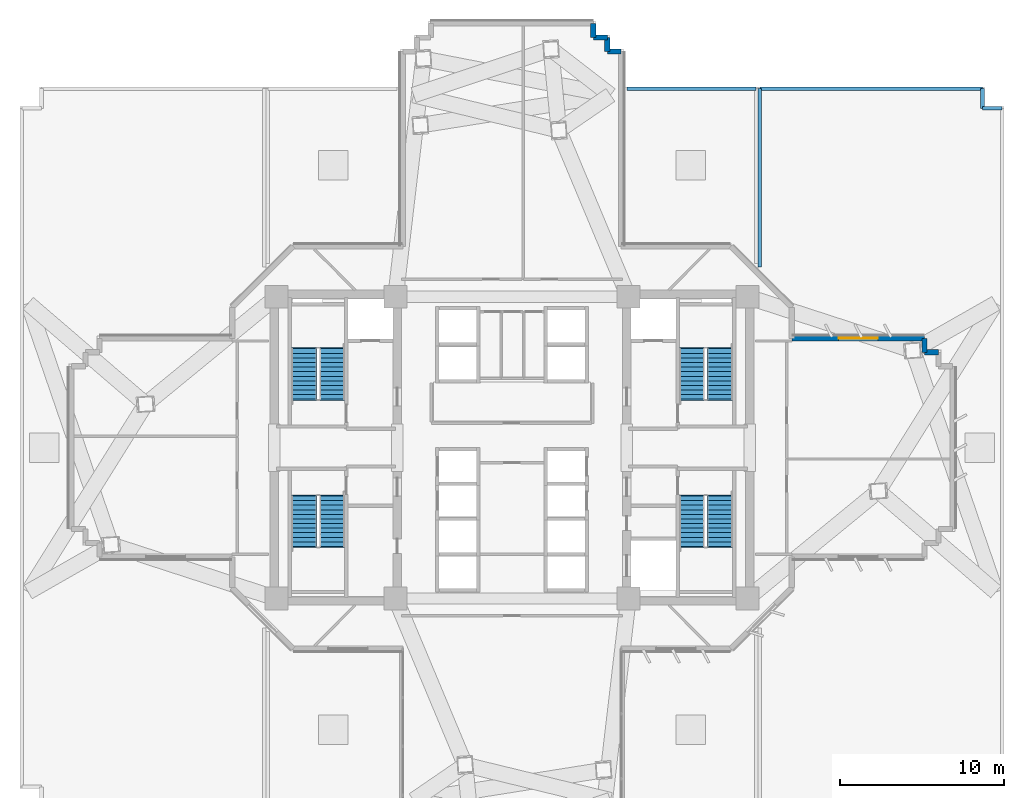
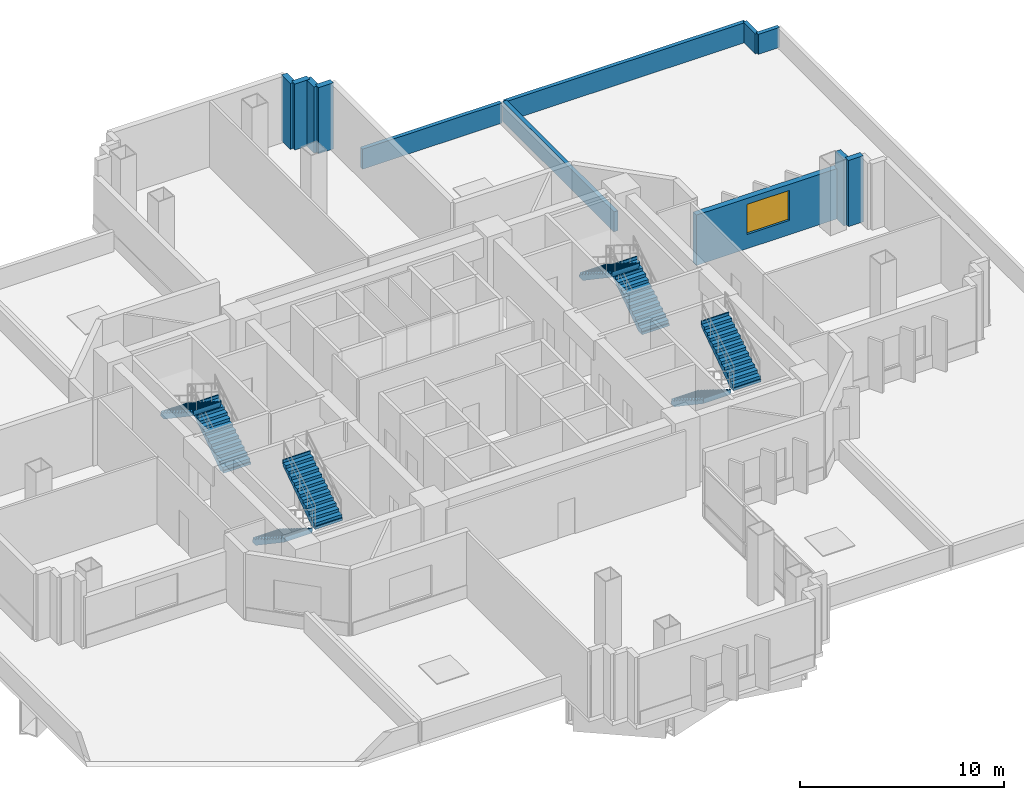
# One storey, part 11 of 15: 12 walls, 8 stair flights, 1 window, 1 opening, 4 elements without a shape of their own.
"""IFC4 building model written with IfcOpenShell, lengths in metres."""

from ifc_helpers import new_model, si_unit, direction, frame, frame_2d, origin, place, context, subcontext, project, spatial, polyline, rectangle, outline, extrude, source, transform, mapped, material, layer, layer_set, type_object, element, fill, aggregate, save


model = new_model("IFC4")

# Units and contexts
model_context = context("Model", 3, precision=1e-05, world=origin(), true_north=direction((0.0, 1.0)))
body_context = subcontext(model_context, "Body", "Model", "MODEL_VIEW")
ifc_project = project(units=[si_unit("LENGTHUNIT", "METRE"), si_unit("AREAUNIT", "SQUARE_METRE"), si_unit("VOLUMEUNIT", "CUBIC_METRE"), si_unit("PLANEANGLEUNIT", "RADIAN"), si_unit("MASSUNIT", "GRAM", prefix="KILO")], contexts=[model_context])

# Site, building, storey
site_placement = place(None, origin())
site = spatial("IfcSite", under=ifc_project, at=site_placement, CompositionType="ELEMENT")
building_placement = place(site_placement, origin())
building = spatial("IfcBuilding", under=site, at=building_placement, Name="Zahravan Cultural Tower", CompositionType="ELEMENT")
storey_placement = place(building_placement, frame((0.0, 0.0, 29.10009765625)))
storey = spatial("IfcBuildingStorey", under=building, at=storey_placement, Name="L05", CompositionType="ELEMENT", Elevation=29.10009765625)

# Wall, opening, window
ifc_material_1 = material(Name="Precast concrete C40/50", Category="concrete")
ifc_layer_1 = layer(ifc_material_1, 0.320068359375)
ifc_layer_set_1 = layer_set([ifc_layer_1], Name="Precast concrete C40/50")
wall_type_1 = type_object("IfcWallType", Name="EW-TC-320", PredefinedType="SOLIDWALL", material=ifc_layer_set_1)
wall_1_placement = place(storey_placement, frame((53.06005859375, 33.659912109375, 0.0), z_axis=(0.0, 0.0, 1.0), x_axis=(1.0, 0.0, 0.0)))
wall_1 = element("IfcWall", 1, at=wall_1_placement, inside=storey, type_object=wall_type_1, Name="L05 Exterior Masonry Frame Wall 01", PredefinedType="SOLIDWALL", context=body_context, shape_type="SweptSolid", body=[
    extrude(rectangle(XDim=8.099853515625, YDim=0.320068359375, at=frame_2d((4.0498046875, 0.0))), origin(), (0.0, 0.0, 1.0), 3.010009765625),
])
opening_placement = place(wall_1_placement, frame((2.85009765625, 0.0, 0.85009765625)))
opening = element("IfcOpeningElement", 2, at=opening_placement, cuts=wall_1, Name="Opening WN-01", PredefinedType="OPENING", context=body_context, shape_type="SweptSolid", body=[
    extrude(rectangle(XDim=2.39990234375, YDim=1.800048828125, at=frame_2d((1.199951171875, 0.89990234375))), frame((0.0, 0.169921875, 0.0), z_axis=(0.0, -1.0, 0.0), x_axis=(1.0, 0.0, 0.0)), (0.0, 0.0, 1.0), 0.340087890625),
])
ifc_material_2 = material(Name="Low-E solar-control double glazing", Category="glass")
window_type = type_object("IfcWindowType", Name="WN-REC-2400X1800", PartitioningType="DOUBLE_PANEL_VERTICAL", PredefinedType="WINDOW", material=ifc_material_2)
shared_shape_1 = source(origin(), body_context, "Body", "SweptSolid", [
    extrude(rectangle(XDim=2.39990234375, YDim=1.800048828125, at=frame_2d((1.199951171875, 0.89990234375))), frame((0.0, 0.030029296875, 0.0), z_axis=(0.0, -1.0, 0.0), x_axis=(1.0, 0.0, 0.0)), (0.0, 0.0, 1.0), 0.06005859375),
])
window_placement = place(opening_placement, origin())
window = element("IfcWindow", 3, at=window_placement, inside=storey, type_object=window_type, Name="L05 Recessed Solar Window 01", OverallHeight=1.800048828125, OverallWidth=2.39990234375, PartitioningType="DOUBLE_PANEL_VERTICAL", PredefinedType="WINDOW", context=body_context, shape_type="MappedRepresentation", body=[
    mapped(shared_shape_1, transform((0.0, 0.0, 0.0), x_axis=(1.0, 0.0, 0.0), y_axis=(0.0, 1.0, 0.0), z_axis=(0.0, 0.0, 1.0), scale=1.0)),
])
fill(opening, window)

# Walls
ifc_layer_2 = layer(ifc_material_1, 0.219970703125)
ifc_layer_set_2 = layer_set([ifc_layer_2], Name="Precast concrete C40/50")
wall_type_2 = type_object("IfcWallType", Name="EW-PARAPET-220", PredefinedType="PARAPET", material=ifc_layer_set_2)
shared_shape_2 = source(origin(), body_context, "Body", "SweptSolid", [
    extrude(rectangle(XDim=1.199951171875, YDim=0.219970703125, at=frame_2d((0.60009765625, 0.0))), origin(), (0.0, 0.0, 1.0), 1.199951171875),
])
for number, where, z_axis, x_axis, name in (
    (4, (64.68994140625, 48.889892578125, 0.0), (0.0, 0.0, 1.0), (0.0, -1.0, 0.0), "L05 Setback Roof Parapet 5"),
    (5, (64.68994140625, 47.68994140625, 0.0), (0.0, 0.0, 1.0), (1.0, 0.0, 0.0), "L05 Setback Roof Parapet 6"),
):
    element("IfcWall", number, at=place(storey_placement, frame(where, z_axis=z_axis, x_axis=x_axis)), inside=storey, type_object=wall_type_2, Name=name, PredefinedType="PARAPET", context=body_context, shape_type="MappedRepresentation", body=[
        mapped(shared_shape_2, transform((0.0, 0.0, 0.0), x_axis=(1.0, 0.0, 0.0), y_axis=(0.0, 1.0, 0.0), z_axis=(0.0, 0.0, 1.0), scale=1.0)),
    ])
shared_shape_3 = source(origin(), body_context, "Body", "SweptSolid", [
    extrude(rectangle(XDim=13.579833984375, YDim=0.219970703125, at=frame_2d((6.7900390625, 0.0))), origin(), (0.0, 0.0, 1.0), 1.199951171875),
])
wall_2_placement = place(storey_placement, frame((51.110107421875, 48.889892578125, 0.0), z_axis=(0.0, 0.0, 1.0), x_axis=(1.0, 0.0, 0.0)))
element("IfcWall", 6, at=wall_2_placement, inside=storey, type_object=wall_type_2, Name="L05 Setback Roof Parapet 4", PredefinedType="PARAPET", context=body_context, shape_type="MappedRepresentation", body=[
    mapped(shared_shape_3, transform((0.0, 0.0, 0.0), x_axis=(1.0, 0.0, 0.0), y_axis=(0.0, 1.0, 0.0), z_axis=(0.0, 0.0, 1.0), scale=1.0)),
])
shared_shape_4 = source(origin(), body_context, "Body", "SweptSolid", [
    extrude(rectangle(XDim=10.888671875, YDim=0.219970703125, at=frame_2d((5.4443359375, 0.0))), origin(), (0.0, 0.0, 1.0), 1.199951171875),
])
wall_3_placement = place(storey_placement, frame((51.110107421875, 38.001220703125, 0.0), z_axis=(0.0, 0.0, 1.0), x_axis=(0.0, 1.0, 0.0)))
element("IfcWall", 7, at=wall_3_placement, inside=storey, type_object=wall_type_2, Name="L05 Setback Roof Parapet 3", PredefinedType="PARAPET", context=body_context, shape_type="MappedRepresentation", body=[
    mapped(shared_shape_4, transform((0.0, 0.0, 0.0), x_axis=(1.0, 0.0, 0.0), y_axis=(0.0, 1.0, 0.0), z_axis=(0.0, 0.0, 1.0), scale=1.0)),
])
shared_shape_5 = source(origin(), body_context, "Body", "SweptSolid", [
    extrude(rectangle(XDim=7.869873046875, YDim=0.219970703125, at=frame_2d((3.93505859375, 0.0))), origin(), (0.0, 0.0, 1.0), 1.199951171875),
])
wall_4_placement = place(storey_placement, frame((43.02001953125, 48.889892578125, 0.0), z_axis=(0.0, 0.0, 1.0), x_axis=(1.0, 0.0, 0.0)))
element("IfcWall", 8, at=wall_4_placement, inside=storey, type_object=wall_type_2, Name="L05 Setback Roof Parapet 1", PredefinedType="PARAPET", context=body_context, shape_type="MappedRepresentation", body=[
    mapped(shared_shape_5, transform((0.0, 0.0, 0.0), x_axis=(1.0, 0.0, 0.0), y_axis=(0.0, 1.0, 0.0), z_axis=(0.0, 0.0, 1.0), scale=1.0)),
])
shared_shape_6 = source(origin(), body_context, "Body", "SweptSolid", [
    extrude(rectangle(XDim=0.849853515625, YDim=0.320068359375, at=frame_2d((0.4248046875, 0.0))), origin(), (0.0, 0.0, 1.0), 3.949951171875),
])
for number, where, z_axis, x_axis, name in (
    (9, (61.159912109375, 33.659912109375, 0.0), (0.0, 0.0, 1.0), (0.0, -1.0, 0.0), "L05 Exterior Masonry Frame Wall 02"),
    (10, (41.81005859375, 51.159912109375, 0.0), (0.0, 0.0, 1.0), (1.0, 0.0, 0.0), "L05 Exterior Masonry Frame Wall 50"),
):
    element("IfcWall", number, at=place(storey_placement, frame(where, z_axis=z_axis, x_axis=x_axis)), inside=storey, type_object=wall_type_1, Name=name, PredefinedType="SOLIDWALL", context=body_context, shape_type="MappedRepresentation", body=[
        mapped(shared_shape_6, transform((0.0, 0.0, 0.0), x_axis=(1.0, 0.0, 0.0), y_axis=(0.0, 1.0, 0.0), z_axis=(0.0, 0.0, 1.0), scale=1.0)),
    ])
shared_shape_7 = source(origin(), body_context, "Body", "SweptSolid", [
    extrude(rectangle(XDim=0.85009765625, YDim=0.320068359375, at=frame_2d((0.425048828125, 0.0))), origin(), (0.0, 0.0, 1.0), 3.949951171875),
])
for number, where, z_axis, x_axis, name in (
    (11, (61.159912109375, 32.81005859375, 0.0), (0.0, 0.0, 1.0), (1.0, 0.0, 0.0), "L05 Exterior Masonry Frame Wall 03"),
    (12, (40.9599609375, 52.860107421875, 0.0), (0.0, 0.0, 1.0), (0.0, -1.0, 0.0), "L05 Exterior Masonry Frame Wall 47"),
    (13, (40.9599609375, 52.010009765625, 0.0), (0.0, 0.0, 1.0), (1.0, 0.0, 0.0), "L05 Exterior Masonry Frame Wall 48"),
    (14, (41.81005859375, 52.010009765625, 0.0), (0.0, 0.0, 1.0), (0.0, -1.0, 0.0), "L05 Exterior Masonry Frame Wall 49"),
):
    element("IfcWall", number, at=place(storey_placement, frame(where, z_axis=z_axis, x_axis=x_axis)), inside=storey, type_object=wall_type_1, Name=name, PredefinedType="SOLIDWALL", context=body_context, shape_type="MappedRepresentation", body=[
        mapped(shared_shape_7, transform((0.0, 0.0, 0.0), x_axis=(1.0, 0.0, 0.0), y_axis=(0.0, 1.0, 0.0), z_axis=(0.0, 0.0, 1.0), scale=1.0)),
    ])

# Stair, stair flights
ifc_material_3 = material(Name="Concrete C45/55", Category="concrete")
stair_type = type_object("IfcStairType", Name="STR-DL-1550-420", PredefinedType="HALF_TURN_STAIR", material=ifc_material_3)
stair_1_placement = place(storey_placement, origin())
stair_1 = element("IfcStair", 15, at=stair_1_placement, inside=storey, type_object=stair_type, Name="L05 West Core North Exit Stair ST-W1", PredefinedType="HALF_TURN_STAIR")
stair_flight_type = type_object("IfcStairFlightType", Name="FLG-DL-1550-420", PredefinedType="STRAIGHT", material=ifc_material_3)
stair_flight_1_placement = place(storey_placement, frame((25.02490234375, 29.949951171875, 0.0), z_axis=(0.0, 0.0, 1.0), x_axis=(0.0, 1.0, 0.0)))
stair_flight_1 = element("IfcStairFlight", 16, at=stair_flight_1_placement, type_object=stair_flight_type, Name="ST-W1 flight 1", NumberOfRisers=12, NumberOfTreads=11, PredefinedType="STRAIGHT", RiserHeight=0.175, TreadLength=0.28, context=body_context, shape_type="SweptSolid", body=[
    extrude(outline(polyline([(-0.06494140625, -0.139892578125), (-0.06494140625, 0.0), (0.0, 0.0), (0.0, 0.175048828125), (0.280029296875, 0.175048828125), (0.280029296875, 0.35009765625), (0.56005859375, 0.35009765625), (0.56005859375, 0.52490234375), (0.840087890625, 0.52490234375), (0.840087890625, 0.699951171875), (1.1201171875, 0.699951171875), (1.1201171875, 0.875), (1.39990234375, 0.875), (1.39990234375, 1.050048828125), (1.679931640625, 1.050048828125), (1.679931640625, 1.22509765625), (1.9599609375, 1.22509765625), (1.9599609375, 1.39990234375), (2.239990234375, 1.39990234375), (2.239990234375, 1.574951171875), (2.52001953125, 1.574951171875), (2.52001953125, 1.75), (2.800048828125, 1.75), (2.800048828125, 1.925048828125), (3.080078125, 1.925048828125), (3.080078125, 2.10009765625), (3.14501953125, 2.10009765625), (3.14501953125, 1.9501953125), (3.080078125, 1.748291015625), (0.28271484375, -0.139892578125), (-0.06494140625, -0.139892578125)])), frame((0.0, 0.77490234375, 0.0), z_axis=(0.0, -1.0, 0.0), x_axis=(1.0, 0.0, 0.0)), (0.0, 0.0, 1.0), 1.550048828125),
])
stair_flight_2_placement = place(storey_placement, frame((23.324951171875, 33.030029296875, 2.099853515625), z_axis=(0.0, 0.0, 1.0), x_axis=(0.0, -1.0, 0.0)))
stair_flight_2 = element("IfcStairFlight", 17, at=stair_flight_2_placement, type_object=stair_flight_type, Name="ST-W1 flight 2", NumberOfRisers=12, NumberOfTreads=11, PredefinedType="STRAIGHT", RiserHeight=0.175, TreadLength=0.28, context=body_context, shape_type="SweptSolid", body=[
    extrude(outline(polyline([(-0.06494140625, -0.139892578125), (-0.06494140625, 0.0), (0.0, 0.0), (0.0, 0.175048828125), (0.280029296875, 0.175048828125), (0.280029296875, 0.35009765625), (0.56005859375, 0.35009765625), (0.56005859375, 0.52490234375), (0.840087890625, 0.52490234375), (0.840087890625, 0.699951171875), (1.1201171875, 0.699951171875), (1.1201171875, 0.875), (1.39990234375, 0.875), (1.39990234375, 1.050048828125), (1.679931640625, 1.050048828125), (1.679931640625, 1.22509765625), (1.9599609375, 1.22509765625), (1.9599609375, 1.39990234375), (2.239990234375, 1.39990234375), (2.239990234375, 1.574951171875), (2.52001953125, 1.574951171875), (2.52001953125, 1.75), (2.800048828125, 1.75), (2.800048828125, 1.925048828125), (3.080078125, 1.925048828125), (3.080078125, 2.10009765625), (3.14501953125, 2.10009765625), (3.14501953125, 1.9501953125), (3.080078125, 1.748291015625), (0.28271484375, -0.139892578125), (-0.06494140625, -0.139892578125)])), frame((0.0, 0.77490234375, 0.0), z_axis=(0.0, -1.0, 0.0), x_axis=(1.0, 0.0, 0.0)), (0.0, 0.0, 1.0), 1.550048828125),
])
aggregate(stair_1, [stair_flight_1, stair_flight_2])

stair_2_placement = place(storey_placement, origin())
stair_2 = element("IfcStair", 18, at=stair_2_placement, inside=storey, type_object=stair_type, Name="L05 West Core South Exit Stair ST-W2", PredefinedType="HALF_TURN_STAIR")
stair_flight_3_placement = place(storey_placement, frame((23.324951171875, 24.050048828125, 0.0), z_axis=(0.0, 0.0, 1.0), x_axis=(0.0, -1.0, 0.0)))
stair_flight_3 = element("IfcStairFlight", 19, at=stair_flight_3_placement, type_object=stair_flight_type, Name="ST-W2 flight 1", NumberOfRisers=12, NumberOfTreads=11, PredefinedType="STRAIGHT", RiserHeight=0.175, TreadLength=0.28, context=body_context, shape_type="SweptSolid", body=[
    extrude(outline(polyline([(-0.06494140625, -0.139892578125), (-0.06494140625, 0.0), (0.0, 0.0), (0.0, 0.175048828125), (0.280029296875, 0.175048828125), (0.280029296875, 0.35009765625), (0.56005859375, 0.35009765625), (0.56005859375, 0.52490234375), (0.840087890625, 0.52490234375), (0.840087890625, 0.699951171875), (1.1201171875, 0.699951171875), (1.1201171875, 0.875), (1.39990234375, 0.875), (1.39990234375, 1.050048828125), (1.679931640625, 1.050048828125), (1.679931640625, 1.22509765625), (1.9599609375, 1.22509765625), (1.9599609375, 1.39990234375), (2.239990234375, 1.39990234375), (2.239990234375, 1.574951171875), (2.52001953125, 1.574951171875), (2.52001953125, 1.75), (2.800048828125, 1.75), (2.800048828125, 1.925048828125), (3.080078125, 1.925048828125), (3.080078125, 2.10009765625), (3.14501953125, 2.10009765625), (3.14501953125, 1.9501953125), (3.080078125, 1.748291015625), (0.28271484375, -0.139892578125), (-0.06494140625, -0.139892578125)])), frame((0.0, 0.77490234375, 0.0), z_axis=(0.0, -1.0, 0.0), x_axis=(1.0, 0.0, 0.0)), (0.0, 0.0, 1.0), 1.550048828125),
])
stair_flight_4_placement = place(storey_placement, frame((25.02490234375, 20.969970703125, 2.099853515625), z_axis=(0.0, 0.0, 1.0), x_axis=(0.0, 1.0, 0.0)))
stair_flight_4 = element("IfcStairFlight", 20, at=stair_flight_4_placement, type_object=stair_flight_type, Name="ST-W2 flight 2", NumberOfRisers=12, NumberOfTreads=11, PredefinedType="STRAIGHT", RiserHeight=0.175, TreadLength=0.28, context=body_context, shape_type="SweptSolid", body=[
    extrude(outline(polyline([(-0.06494140625, -0.139892578125), (-0.06494140625, 0.0), (0.0, 0.0), (0.0, 0.175048828125), (0.280029296875, 0.175048828125), (0.280029296875, 0.35009765625), (0.56005859375, 0.35009765625), (0.56005859375, 0.52490234375), (0.840087890625, 0.52490234375), (0.840087890625, 0.699951171875), (1.1201171875, 0.699951171875), (1.1201171875, 0.875), (1.39990234375, 0.875), (1.39990234375, 1.050048828125), (1.679931640625, 1.050048828125), (1.679931640625, 1.22509765625), (1.9599609375, 1.22509765625), (1.9599609375, 1.39990234375), (2.239990234375, 1.39990234375), (2.239990234375, 1.574951171875), (2.52001953125, 1.574951171875), (2.52001953125, 1.75), (2.800048828125, 1.75), (2.800048828125, 1.925048828125), (3.080078125, 1.925048828125), (3.080078125, 2.10009765625), (3.14501953125, 2.10009765625), (3.14501953125, 1.9501953125), (3.080078125, 1.748291015625), (0.28271484375, -0.139892578125), (-0.06494140625, -0.139892578125)])), frame((0.0, 0.77490234375, 0.0), z_axis=(0.0, -1.0, 0.0), x_axis=(1.0, 0.0, 0.0)), (0.0, 0.0, 1.0), 1.550048828125),
])
aggregate(stair_2, [stair_flight_3, stair_flight_4])

stair_3_placement = place(storey_placement, origin())
stair_3 = element("IfcStair", 21, at=stair_3_placement, inside=storey, type_object=stair_type, Name="L05 East Core North Exit Stair ST-E1", PredefinedType="HALF_TURN_STAIR")
stair_flight_5_placement = place(storey_placement, frame((48.675048828125, 29.949951171875, 0.0), z_axis=(0.0, 0.0, 1.0), x_axis=(0.0, 1.0, 0.0)))
stair_flight_5 = element("IfcStairFlight", 22, at=stair_flight_5_placement, type_object=stair_flight_type, Name="ST-E1 flight 1", NumberOfRisers=12, NumberOfTreads=11, PredefinedType="STRAIGHT", RiserHeight=0.175, TreadLength=0.28, context=body_context, shape_type="SweptSolid", body=[
    extrude(outline(polyline([(-0.06494140625, -0.139892578125), (-0.06494140625, 0.0), (0.0, 0.0), (0.0, 0.175048828125), (0.280029296875, 0.175048828125), (0.280029296875, 0.35009765625), (0.56005859375, 0.35009765625), (0.56005859375, 0.52490234375), (0.840087890625, 0.52490234375), (0.840087890625, 0.699951171875), (1.1201171875, 0.699951171875), (1.1201171875, 0.875), (1.39990234375, 0.875), (1.39990234375, 1.050048828125), (1.679931640625, 1.050048828125), (1.679931640625, 1.22509765625), (1.9599609375, 1.22509765625), (1.9599609375, 1.39990234375), (2.239990234375, 1.39990234375), (2.239990234375, 1.574951171875), (2.52001953125, 1.574951171875), (2.52001953125, 1.75), (2.800048828125, 1.75), (2.800048828125, 1.925048828125), (3.080078125, 1.925048828125), (3.080078125, 2.10009765625), (3.14501953125, 2.10009765625), (3.14501953125, 1.9501953125), (3.080078125, 1.748291015625), (0.28271484375, -0.139892578125), (-0.06494140625, -0.139892578125)])), frame((0.0, 0.77490234375, 0.0), z_axis=(0.0, -1.0, 0.0), x_axis=(1.0, 0.0, 0.0)), (0.0, 0.0, 1.0), 1.550048828125),
])
stair_flight_6_placement = place(storey_placement, frame((46.97509765625, 33.030029296875, 2.099853515625), z_axis=(0.0, 0.0, 1.0), x_axis=(0.0, -1.0, 0.0)))
stair_flight_6 = element("IfcStairFlight", 23, at=stair_flight_6_placement, type_object=stair_flight_type, Name="ST-E1 flight 2", NumberOfRisers=12, NumberOfTreads=11, PredefinedType="STRAIGHT", RiserHeight=0.175, TreadLength=0.28, context=body_context, shape_type="SweptSolid", body=[
    extrude(outline(polyline([(-0.06494140625, -0.139892578125), (-0.06494140625, 0.0), (0.0, 0.0), (0.0, 0.175048828125), (0.280029296875, 0.175048828125), (0.280029296875, 0.35009765625), (0.56005859375, 0.35009765625), (0.56005859375, 0.52490234375), (0.840087890625, 0.52490234375), (0.840087890625, 0.699951171875), (1.1201171875, 0.699951171875), (1.1201171875, 0.875), (1.39990234375, 0.875), (1.39990234375, 1.050048828125), (1.679931640625, 1.050048828125), (1.679931640625, 1.22509765625), (1.9599609375, 1.22509765625), (1.9599609375, 1.39990234375), (2.239990234375, 1.39990234375), (2.239990234375, 1.574951171875), (2.52001953125, 1.574951171875), (2.52001953125, 1.75), (2.800048828125, 1.75), (2.800048828125, 1.925048828125), (3.080078125, 1.925048828125), (3.080078125, 2.10009765625), (3.14501953125, 2.10009765625), (3.14501953125, 1.9501953125), (3.080078125, 1.748291015625), (0.28271484375, -0.139892578125), (-0.06494140625, -0.139892578125)])), frame((0.0, 0.77490234375, 0.0), z_axis=(0.0, -1.0, 0.0), x_axis=(1.0, 0.0, 0.0)), (0.0, 0.0, 1.0), 1.550048828125),
])
aggregate(stair_3, [stair_flight_5, stair_flight_6])

stair_4_placement = place(storey_placement, origin())
stair_4 = element("IfcStair", 24, at=stair_4_placement, inside=storey, type_object=stair_type, Name="L05 East Core South Exit Stair ST-E2", PredefinedType="HALF_TURN_STAIR")
stair_flight_7_placement = place(storey_placement, frame((46.97509765625, 24.050048828125, 0.0), z_axis=(0.0, 0.0, 1.0), x_axis=(0.0, -1.0, 0.0)))
stair_flight_7 = element("IfcStairFlight", 25, at=stair_flight_7_placement, type_object=stair_flight_type, Name="ST-E2 flight 1", NumberOfRisers=12, NumberOfTreads=11, PredefinedType="STRAIGHT", RiserHeight=0.175, TreadLength=0.28, context=body_context, shape_type="SweptSolid", body=[
    extrude(outline(polyline([(-0.06494140625, -0.139892578125), (-0.06494140625, 0.0), (0.0, 0.0), (0.0, 0.175048828125), (0.280029296875, 0.175048828125), (0.280029296875, 0.35009765625), (0.56005859375, 0.35009765625), (0.56005859375, 0.52490234375), (0.840087890625, 0.52490234375), (0.840087890625, 0.699951171875), (1.1201171875, 0.699951171875), (1.1201171875, 0.875), (1.39990234375, 0.875), (1.39990234375, 1.050048828125), (1.679931640625, 1.050048828125), (1.679931640625, 1.22509765625), (1.9599609375, 1.22509765625), (1.9599609375, 1.39990234375), (2.239990234375, 1.39990234375), (2.239990234375, 1.574951171875), (2.52001953125, 1.574951171875), (2.52001953125, 1.75), (2.800048828125, 1.75), (2.800048828125, 1.925048828125), (3.080078125, 1.925048828125), (3.080078125, 2.10009765625), (3.14501953125, 2.10009765625), (3.14501953125, 1.9501953125), (3.080078125, 1.748291015625), (0.28271484375, -0.139892578125), (-0.06494140625, -0.139892578125)])), frame((0.0, 0.77490234375, 0.0), z_axis=(0.0, -1.0, 0.0), x_axis=(1.0, 0.0, 0.0)), (0.0, 0.0, 1.0), 1.550048828125),
])
stair_flight_8_placement = place(storey_placement, frame((48.675048828125, 20.969970703125, 2.099853515625), z_axis=(0.0, 0.0, 1.0), x_axis=(0.0, 1.0, 0.0)))
stair_flight_8 = element("IfcStairFlight", 26, at=stair_flight_8_placement, type_object=stair_flight_type, Name="ST-E2 flight 2", NumberOfRisers=12, NumberOfTreads=11, PredefinedType="STRAIGHT", RiserHeight=0.175, TreadLength=0.28, context=body_context, shape_type="SweptSolid", body=[
    extrude(outline(polyline([(-0.06494140625, -0.139892578125), (-0.06494140625, 0.0), (0.0, 0.0), (0.0, 0.175048828125), (0.280029296875, 0.175048828125), (0.280029296875, 0.35009765625), (0.56005859375, 0.35009765625), (0.56005859375, 0.52490234375), (0.840087890625, 0.52490234375), (0.840087890625, 0.699951171875), (1.1201171875, 0.699951171875), (1.1201171875, 0.875), (1.39990234375, 0.875), (1.39990234375, 1.050048828125), (1.679931640625, 1.050048828125), (1.679931640625, 1.22509765625), (1.9599609375, 1.22509765625), (1.9599609375, 1.39990234375), (2.239990234375, 1.39990234375), (2.239990234375, 1.574951171875), (2.52001953125, 1.574951171875), (2.52001953125, 1.75), (2.800048828125, 1.75), (2.800048828125, 1.925048828125), (3.080078125, 1.925048828125), (3.080078125, 2.10009765625), (3.14501953125, 2.10009765625), (3.14501953125, 1.9501953125), (3.080078125, 1.748291015625), (0.28271484375, -0.139892578125), (-0.06494140625, -0.139892578125)])), frame((0.0, 0.77490234375, 0.0), z_axis=(0.0, -1.0, 0.0), x_axis=(1.0, 0.0, 0.0)), (0.0, 0.0, 1.0), 1.550048828125),
])
aggregate(stair_4, [stair_flight_7, stair_flight_8])

save(model, "model.ifc")
